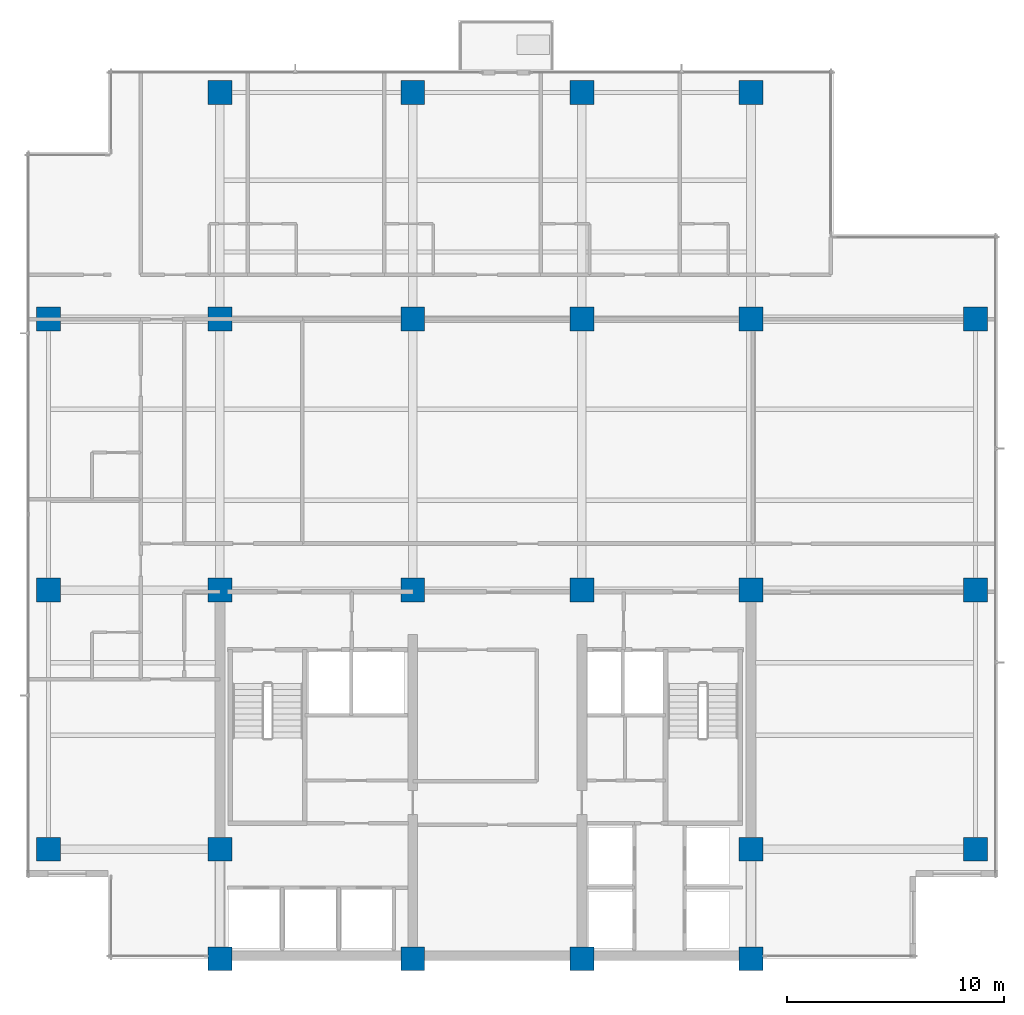
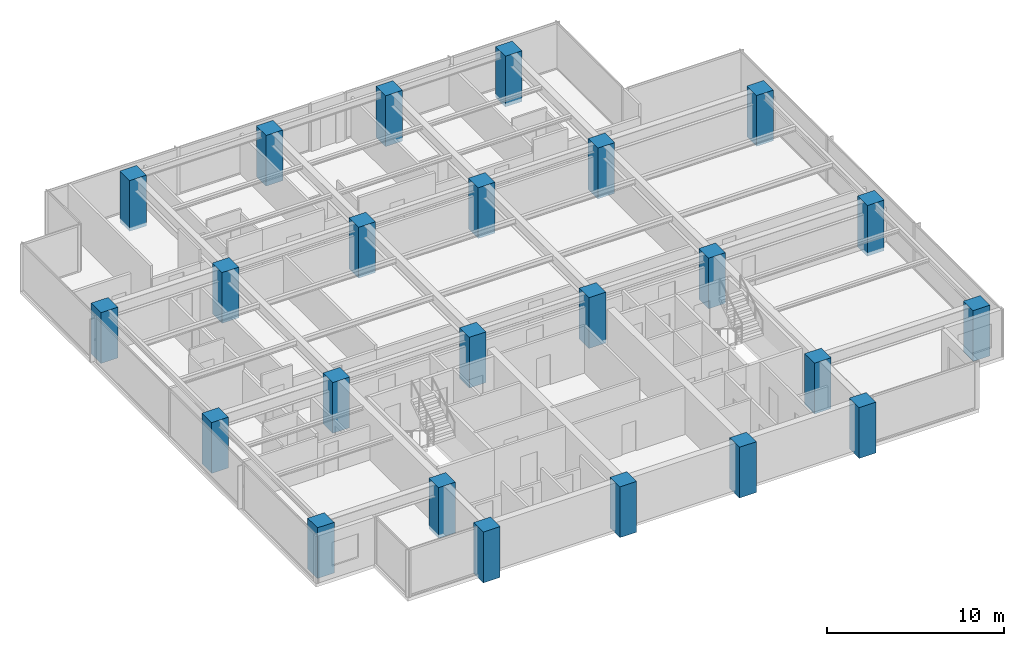
# One storey, part 1 of 15: 24 columns.
"""IFC4 building model written with IfcOpenShell, lengths in metres."""

from ifc_helpers import new_model, si_unit, direction, frame, origin, origin_2d, place, context, subcontext, project, spatial, rectangle, extrude, material, material_profile, profile_set, type_object, element, save


model = new_model("IFC4")

# Units and contexts
model_context = context("Model", 3, precision=1e-05, world=origin(), true_north=direction((0.0, 1.0)))
body_context = subcontext(model_context, "Body", "Model", "MODEL_VIEW")
ifc_project = project(units=[si_unit("LENGTHUNIT", "METRE"), si_unit("AREAUNIT", "SQUARE_METRE"), si_unit("VOLUMEUNIT", "CUBIC_METRE"), si_unit("PLANEANGLEUNIT", "RADIAN"), si_unit("MASSUNIT", "GRAM", prefix="KILO")], contexts=[model_context])

# Site, building, storey
site_placement = place(None, origin())
site = spatial("IfcSite", under=ifc_project, at=site_placement, CompositionType="ELEMENT")
building_placement = place(site_placement, origin())
building = spatial("IfcBuilding", under=site, at=building_placement, Name="Qalmaran Belvedere Hotel", CompositionType="ELEMENT")
storey_placement = place(building_placement, frame((0.0, 0.0, 170.10009765625)))
storey = spatial("IfcBuildingStorey", under=building, at=storey_placement, Name="L43", CompositionType="ELEMENT", Elevation=170.10009765625)

# Columns
ifc_material = material(Name="Concrete C50/60", Category="concrete")
ifc_material_profile = material_profile(ifc_material, rectangle(XDim=1.10009765625, YDim=1.10009765625, at=origin_2d()), Name="CC1100X1100")
ifc_profile_set = profile_set([ifc_material_profile], Name="Concrete C50/60")
column_type = type_object("IfcColumnType", Name="COL-Z3-CC1100", PredefinedType="COLUMN", material=ifc_profile_set)
for number, where, z_axis, x_axis, name in (
    (1, (20.300048828125, 3.5, -0.25), (0.0, 0.0, 1.0), (1.0, 0.0, 0.0), "L43 Column C4B"),
    (2, (29.199951171875, 3.5, -0.25), (0.0, 0.0, 1.0), (1.0, 0.0, 0.0), "L43 Column C5B"),
    (3, (37.0, 3.5, -0.25), (0.0, 0.0, 1.0), (1.0, 0.0, 0.0), "L43 Column C6B"),
    (4, (44.800048828125, 3.5, -0.25), (0.0, 0.0, 1.0), (1.0, 0.0, 0.0), "L43 Column C7B"),
    (5, (20.300048828125, 8.550048828125, -0.25), (0.0, 0.0, 1.0), (1.0, 0.0, 0.0), "L43 Column C4C"),
    (6, (44.800048828125, 8.550048828125, -0.25), (0.0, 0.0, 1.0), (1.0, 0.0, 0.0), "L43 Column C7C"),
    (7, (20.300048828125, 20.5, -0.25), (0.0, 0.0, 1.0), (1.0, 0.0, 0.0), "L43 Column C4D"),
    (8, (29.199951171875, 20.5, -0.25), (0.0, 0.0, 1.0), (1.0, 0.0, 0.0), "L43 Column C5D"),
    (9, (37.0, 20.5, -0.25), (0.0, 0.0, 1.0), (1.0, 0.0, 0.0), "L43 Column C6D"),
    (10, (44.800048828125, 20.5, -0.25), (0.0, 0.0, 1.0), (1.0, 0.0, 0.0), "L43 Column C7D"),
    (11, (20.300048828125, 33.0, -0.25), (0.0, 0.0, 1.0), (1.0, 0.0, 0.0), "L43 Column C4F"),
    (12, (29.199951171875, 33.0, -0.25), (0.0, 0.0, 1.0), (1.0, 0.0, 0.0), "L43 Column C5F"),
    (13, (37.0, 33.0, -0.25), (0.0, 0.0, 1.0), (1.0, 0.0, 0.0), "L43 Column C6F"),
    (14, (44.800048828125, 33.0, -0.25), (0.0, 0.0, 1.0), (1.0, 0.0, 0.0), "L43 Column C7F"),
    (15, (12.39990234375, 8.550048828125, -0.25), (0.0, 0.0, 1.0), (1.0, 0.0, 0.0), "L43 Column CW1"),
    (16, (12.39990234375, 20.5, -0.25), (0.0, 0.0, 1.0), (1.0, 0.0, 0.0), "L43 Column CW3"),
    (17, (12.39990234375, 33.0, -0.25), (0.0, 0.0, 1.0), (1.0, 0.0, 0.0), "L43 Column CW4"),
    (18, (55.14990234375, 8.550048828125, -0.25), (0.0, 0.0, 1.0), (1.0, 0.0, 0.0), "L43 Column CE1"),
    (19, (55.14990234375, 20.5, -0.25), (0.0, 0.0, 1.0), (1.0, 0.0, 0.0), "L43 Column CE3"),
    (20, (55.14990234375, 33.0, -0.25), (0.0, 0.0, 1.0), (1.0, 0.0, 0.0), "L43 Column CE4"),
    (21, (20.300048828125, 43.449951171875, -0.25), (0.0, 0.0, 1.0), (1.0, 0.0, 0.0), "L43 Column CN1"),
    (22, (29.199951171875, 43.449951171875, -0.25), (0.0, 0.0, 1.0), (1.0, 0.0, 0.0), "L43 Column CN2"),
    (23, (37.0, 43.449951171875, -0.25), (0.0, 0.0, 1.0), (1.0, 0.0, 0.0), "L43 Column CN3"),
    (24, (44.800048828125, 43.449951171875, -0.25), (0.0, 0.0, 1.0), (1.0, 0.0, 0.0), "L43 Column CN4"),
):
    element("IfcColumn", number, at=place(storey_placement, frame(where, z_axis=z_axis, x_axis=x_axis)), inside=storey, type_object=column_type, Name=name, PredefinedType="COLUMN", context=body_context, shape_type="SweptSolid", body=[
        extrude(rectangle(XDim=1.10009765625, YDim=1.10009765625, at=origin_2d()), origin(), (0.0, 0.0, 1.0), 3.5),
    ])

save(model, "model.ifc")
